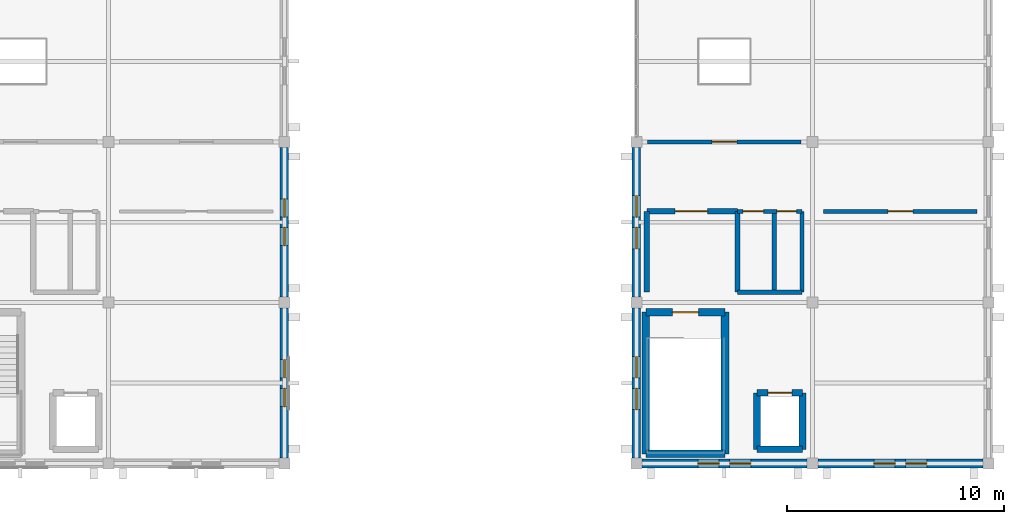
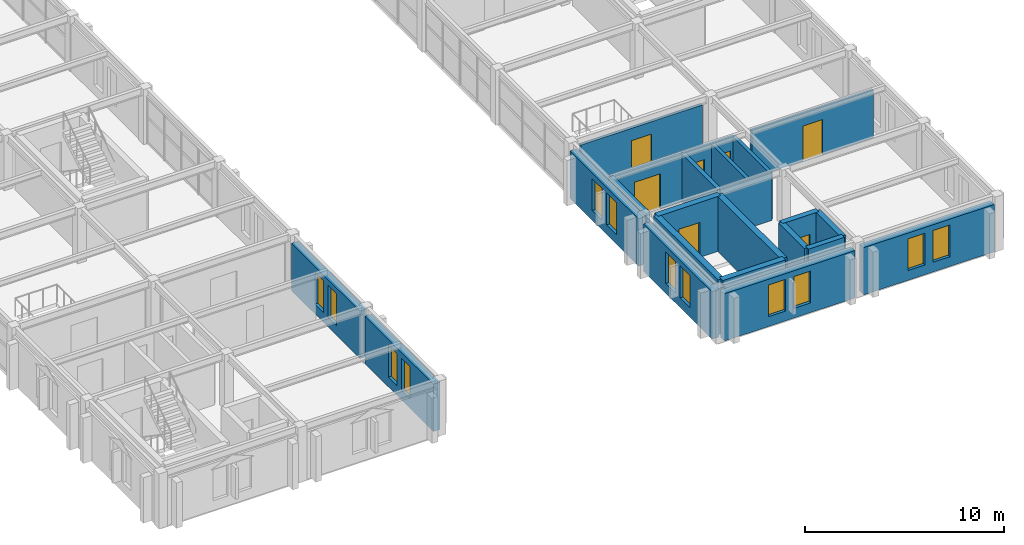
# One storey, part 84 of 93: 23 walls, 12 windows, 7 doors, 19 openings.
"""IFC4 building model written with IfcOpenShell, lengths in metres."""

import ifcopenshell
import ifcopenshell.guid

model = None  # the IFC model being written
_history = None  # IfcOwnerHistory: only IFC2X3 demands one
_inside = {}  # id of a spatial element -> (the spatial element, [elements in it])
_under = {}  # id of a project, library or spatial element -> (it, [spatial elements below it])
_declared = {}  # id of a project -> (the project, [libraries it declares])
_typed = {}  # id of a type object -> (the type object, [elements of that type])
_made_of = {}  # id of a material, layer set ... -> (it, [elements and type objects made of it])


def new_model(schema):
    """Start an empty IFC model of exactly this schema.

    Asked for "IFC4X3", IfcOpenShell would pick the latest addendum, in which some entities
    have other attributes; the version numbers below select the first issue.
    IFC2X3 requires an IfcOwnerHistory on every rooted entity: one is made here for all.
    """
    global model, _history
    if schema == "IFC4X3":
        model = ifcopenshell.file(schema_version=(4, 3, 0, 0))
    else:
        model = ifcopenshell.file(schema=schema)
    _inside.clear()
    _under.clear()
    _declared.clear()
    _typed.clear()
    _made_of.clear()
    _history = None
    if model.schema == "IFC2X3":
        org = make("IfcOrganization", Name="unknown")
        user = make(
            "IfcPersonAndOrganization",
            ThePerson=make("IfcPerson", FamilyName="unknown"),
            TheOrganization=org,
        )
        app = make(
            "IfcApplication",
            ApplicationDeveloper=org,
            Version="unknown",
            ApplicationFullName="unknown",
            ApplicationIdentifier="unknown",
        )
        _history = make(
            "IfcOwnerHistory",
            OwningUser=user,
            OwningApplication=app,
            ChangeAction="ADDED",
            CreationDate=0,
        )
    return model


def make(cls, **values):
    """One entity of the class cls with the attributes given. An attribute that is None is left unset."""
    return model.create_entity(
        cls, **{name: value for name, value in values.items() if value is not None}
    )


def rooted(cls, **values):
    """An entity with a GlobalId (a new one), such as an element, a storey or a relation."""
    return make(cls, GlobalId=ifcopenshell.guid.new(), OwnerHistory=_history, **values)


def si_unit(unit_type, name, prefix=None):
    """IfcSIUnit, for example si_unit("LENGTHUNIT", "METRE", prefix="MILLI")."""
    return make("IfcSIUnit", UnitType=unit_type, Prefix=prefix, Name=name)


def assignment(units):
    """IfcUnitAssignment: the units of a project."""
    return None if units is None else make("IfcUnitAssignment", Units=units)


def point(xyz):
    """IfcCartesianPoint."""
    return None if xyz is None else make("IfcCartesianPoint", Coordinates=xyz)


def direction(xyz):
    """IfcDirection."""
    return None if xyz is None else make("IfcDirection", DirectionRatios=xyz)


def frame(location, z_axis=None, x_axis=None):
    """IfcAxis2Placement3D, a coordinate frame: its origin and axes. An axis left out is left unset."""
    return make(
        "IfcAxis2Placement3D",
        Location=point(location),
        Axis=direction(z_axis),
        RefDirection=direction(x_axis),
    )


def frame_2d(location, x_axis=None):
    """IfcAxis2Placement2D, a coordinate frame in the plane: its origin and x axis."""
    return make(
        "IfcAxis2Placement2D", Location=point(location), RefDirection=direction(x_axis)
    )


def origin():
    """The frame at (0, 0, 0) with its axes left unset."""
    return frame((0.0, 0.0, 0.0))


def place(relative_to, where):
    """IfcLocalPlacement: puts the frame where relative to a parent placement (None: the world)."""
    return make(
        "IfcLocalPlacement", PlacementRelTo=relative_to, RelativePlacement=where
    )


def context(
    kind, dimensions, precision=None, world=None, true_north=None, identifier=None
):
    """IfcGeometricRepresentationContext, for example the 3D "Model" context."""
    return make(
        "IfcGeometricRepresentationContext",
        ContextIdentifier=identifier,
        ContextType=kind,
        CoordinateSpaceDimension=dimensions,
        Precision=precision,
        WorldCoordinateSystem=world,
        TrueNorth=true_north,
    )


def subcontext(parent, identifier, kind, view, scale=None):
    """IfcGeometricRepresentationSubContext, for example "Body" below "Model"."""
    return make(
        "IfcGeometricRepresentationSubContext",
        ContextIdentifier=identifier,
        ContextType=kind,
        ParentContext=parent,
        TargetScale=scale,
        TargetView=view,
    )


def project(units=None, contexts=None):
    """IfcProject with its units and contexts."""
    return rooted(
        "IfcProject",
        Name="project",
        RepresentationContexts=contexts,
        UnitsInContext=assignment(units),
    )


def spatial(cls, under=None, at=None, **own):
    """A site, building, storey or space (cls), placed at a placement, below another one or the project."""
    s = rooted(cls, ObjectPlacement=at, **own)
    if under is not None:
        _under.setdefault(under.id(), (under, []))[1].append(s)
    return s


def profile(cls, at=None, kind="AREA", **sizes):
    """A parametric profile (cls). Its sizes go by their IFC names, for example OverallWidth=200.0."""
    return make(cls, ProfileType=kind, Position=at, **sizes)


def rectangle(**sizes):
    """IfcRectangleProfileDef."""
    return profile("IfcRectangleProfileDef", **sizes)


def extrude(swept, where, along, depth):
    """IfcExtrudedAreaSolid: the profile swept, set in the frame where, extruded along a direction by depth."""
    return make(
        "IfcExtrudedAreaSolid",
        SweptArea=swept,
        Position=where,
        ExtrudedDirection=direction(along),
        Depth=depth,
    )


def shape(context_of_items, identifier, shape_type, items):
    """IfcShapeRepresentation: the items that make up one representation, for example the "Body"."""
    return make(
        "IfcShapeRepresentation",
        ContextOfItems=context_of_items,
        RepresentationIdentifier=identifier,
        RepresentationType=shape_type,
        Items=items,
    )


def material(Name=None, Category=None):
    """IfcMaterial."""
    return make("IfcMaterial", Name=Name, Category=Category)


def layer(
    of_material, thickness, ventilated=None, Name=None, Category=None, Priority=None
):
    """IfcMaterialLayer: one layer of a wall or slab, of a material (None: an air gap)."""
    return make(
        "IfcMaterialLayer",
        Material=of_material,
        LayerThickness=thickness,
        IsVentilated=ventilated,
        Name=Name,
        Category=Category,
        Priority=Priority,
    )


def layer_set(layers, Name=None):
    """IfcMaterialLayerSet."""
    return make("IfcMaterialLayerSet", MaterialLayers=layers, LayerSetName=Name)


def made_of(thing, what):
    """Note that an element or type object is made of a material, layer set ...; save() writes the relation."""
    if what is not None:
        _made_of.setdefault(what.id(), (what, []))[1].append(thing)
    return thing


def type_object(cls, material=None, **own):
    """A type object (cls), such as IfcWallType, which elements share."""
    return made_of(rooted(cls, **own), material)


def element(
    cls,
    number,
    at=None,
    inside=None,
    cuts=None,
    type_object=None,
    material=None,
    context=None,
    identifier="Body",
    shape_type=None,
    held_by="IfcProductDefinitionShape",
    body=None,
    shapes=None,
    **own,
):
    """One element of the class cls, such as IfcWall. Its Tag is "e" and its number.

    at: its placement. inside: the storey or other place that contains it. cuts: it is an
    opening in that element (IfcRelVoidsElement). A single representation is given by context,
    identifier, shape_type and body (its items); several are given by shapes. held_by: the class
    of the entity that holds the representations. save() writes the other relations.
    """
    e = rooted(cls, Tag="e%d" % number, ObjectPlacement=at, **own)
    if body is not None:
        shapes = [shape(context, identifier, shape_type, body)]
    if shapes is not None:
        e.Representation = make(held_by, Representations=shapes)
    if inside is not None:
        _inside.setdefault(inside.id(), (inside, []))[1].append(e)
    if cuts is not None:
        rooted(
            "IfcRelVoidsElement", RelatingBuildingElement=cuts, RelatedOpeningElement=e
        )
    if type_object is not None:
        _typed.setdefault(type_object.id(), (type_object, []))[1].append(e)
    return made_of(e, material)


def fill(opening, filler):
    """IfcRelFillsElement: the door or window that sits in an opening."""
    return rooted(
        "IfcRelFillsElement",
        RelatingOpeningElement=opening,
        RelatedBuildingElement=filler,
    )


def aggregate(whole, parts):
    """IfcRelAggregates: a whole, such as a stair, and the parts it consists of."""
    return rooted("IfcRelAggregates", RelatingObject=whole, RelatedObjects=parts)


def save(model, path):
    """Write the relations noted so far, then the file.

    IfcRelAggregates (storeys below a building ...), IfcRelContainedInSpatialStructure (elements
    in a storey), IfcRelDefinesByType, IfcRelAssociatesMaterial and IfcRelDeclares: one each for
    every whole, place, type object, material and project.
    """
    for whole, parts in _under.values():
        aggregate(whole, parts)
    for where, things in _inside.values():
        rooted(
            "IfcRelContainedInSpatialStructure",
            RelatedElements=things,
            RelatingStructure=where,
        )
    for kind, things in _typed.values():
        rooted("IfcRelDefinesByType", RelatedObjects=things, RelatingType=kind)
    for what, things in _made_of.values():
        rooted("IfcRelAssociatesMaterial", RelatedObjects=things, RelatingMaterial=what)
    for by, libraries in _declared.values():
        rooted("IfcRelDeclares", RelatingContext=by, RelatedDefinitions=libraries)
    model.write(path)


model = new_model("IFC4")

# Units and contexts
model_context = context("Model", 3, precision=1e-05, world=origin(), true_north=direction((0.0, 1.0)))
body_context = subcontext(model_context, "Body", "Model", "MODEL_VIEW")
ifc_project = project(units=[si_unit("LENGTHUNIT", "METRE"), si_unit("AREAUNIT", "SQUARE_METRE"), si_unit("VOLUMEUNIT", "CUBIC_METRE"), si_unit("PLANEANGLEUNIT", "RADIAN"), si_unit("MASSUNIT", "GRAM", prefix="KILO")], contexts=[model_context])

# Site, building, storey
site_placement = place(None, origin())
site = spatial("IfcSite", under=ifc_project, at=site_placement, CompositionType="ELEMENT")
building_placement = place(site_placement, origin())
building = spatial("IfcBuilding", under=site, at=building_placement, Name="Cimatlan Art Gallery", CompositionType="ELEMENT")
storey_placement = place(building_placement, frame((0.0, 0.0, 13.800048828125)))
storey = spatial("IfcBuildingStorey", under=building, at=storey_placement, Name="L03", CompositionType="ELEMENT", Elevation=13.800048828125)

# Walls
ifc_material_1 = material(Name="Concrete C40/50", Category="concrete")
ifc_layer_1 = layer(ifc_material_1, 0.31005859375)
ifc_layer_set_1 = layer_set([ifc_layer_1], Name="Concrete C40/50")
wall_type_1 = type_object("IfcWallType", Name="W-CORE-310", PredefinedType="SHEAR", material=ifc_layer_set_1)
wall_1_placement = place(storey_placement, frame((153.35009765625, 24.550048828125, 0.0), z_axis=(0.0, 0.0, 1.0), x_axis=(0.0, 1.0, 0.0)))
element("IfcWall", 1, at=wall_1_placement, inside=storey, type_object=wall_type_1, Name="WL-SHFT-C5-L03-LW", PredefinedType="SHEAR", context=body_context, shape_type="SweptSolid", body=[
    extrude(rectangle(XDim=2.599853515625, YDim=0.31005859375, at=frame_2d((1.2998046875, 0.0))), origin(), (0.0, 0.0, 1.0), 3.375),
])
wall_2_placement = place(storey_placement, frame((153.35009765625, 24.550048828125, 0.0), z_axis=(0.0, 0.0, 1.0), x_axis=(1.0, 0.0, 0.0)))
element("IfcWall", 2, at=wall_2_placement, inside=storey, type_object=wall_type_1, Name="WL-SHFT-C5-L03-LS", PredefinedType="SHEAR", context=body_context, shape_type="SweptSolid", body=[
    extrude(rectangle(XDim=2.099853515625, YDim=0.31005859375, at=frame_2d((1.0498046875, 0.0))), origin(), (0.0, 0.0, 1.0), 3.375),
])
wall_3_placement = place(storey_placement, frame((155.449951171875, 24.550048828125, 0.0), z_axis=(0.0, 0.0, 1.0), x_axis=(0.0, 1.0, 0.0)))
element("IfcWall", 3, at=wall_3_placement, inside=storey, type_object=wall_type_1, Name="WL-SHFT-C5-L03-LE", PredefinedType="SHEAR", context=body_context, shape_type="SweptSolid", body=[
    extrude(rectangle(XDim=2.599853515625, YDim=0.31005859375, at=frame_2d((1.2998046875, 0.0))), origin(), (0.0, 0.0, 1.0), 3.375),
])

# Wall, opening, door
wall_4_placement = place(storey_placement, frame((153.35009765625, 27.14990234375, 0.0), z_axis=(0.0, 0.0, 1.0), x_axis=(1.0, 0.0, 0.0)))
wall_4 = element("IfcWall", 4, at=wall_4_placement, inside=storey, type_object=wall_type_1, Name="WL-SHFT-C5-L03-LN", PredefinedType="SHEAR", context=body_context, shape_type="SweptSolid", body=[
    extrude(rectangle(XDim=2.099853515625, YDim=0.31005859375, at=frame_2d((1.0498046875, 0.0))), origin(), (0.0, 0.0, 1.0), 3.375),
])
opening_1_placement = place(wall_4_placement, frame((0.5, 0.0, 0.0)))
opening_1 = element("IfcOpeningElement", 5, at=opening_1_placement, cuts=wall_4, Name="Opening LD-C5-L03", PredefinedType="OPENING", context=body_context, shape_type="SweptSolid", body=[
    extrude(rectangle(XDim=1.10009765625, YDim=2.14990234375, at=frame_2d((0.550048828125, 1.074951171875))), frame((0.0, 0.1650390625, 0.0), z_axis=(0.0, -1.0, 0.0), x_axis=(1.0, 0.0, 0.0)), (0.0, 0.0, 1.0), 0.330078125),
])
ifc_material_2 = material(Name="Brushed bronze sliding lift landing door")
door_type_1 = type_object("IfcDoorType", Name="LD-PS-1100", OperationType="NOTDEFINED", PredefinedType="DOOR", material=ifc_material_2)
door_1_placement = place(opening_1_placement, origin())
door_1 = element("IfcDoor", 6, at=door_1_placement, inside=storey, type_object=door_type_1, Name="LD-PL-02-L03", OperationType="SLIDING_TO_RIGHT", OverallHeight=2.14990234375, OverallWidth=1.10009765625, PredefinedType="DOOR", context=body_context, shape_type="SweptSolid", body=[
    extrude(rectangle(XDim=1.10009765625, YDim=2.14990234375, at=frame_2d((0.550048828125, 1.074951171875))), frame((0.0, 0.02490234375, 0.0), z_axis=(0.0, -1.0, 0.0), x_axis=(1.0, 0.0, 0.0)), (0.0, 0.0, 1.0), 0.050048828125),
])
fill(opening_1, door_1)

# Walls
ifc_layer_2 = layer(ifc_material_1, 0.35009765625)
ifc_layer_set_2 = layer_set([ifc_layer_2], Name="Concrete C40/50")
wall_type_2 = type_object("IfcWallType", Name="W-CORE-350", PredefinedType="SHEAR", material=ifc_layer_set_2)
wall_5_placement = place(storey_placement, frame((148.239990234375, 24.340087890625, 0.0), z_axis=(0.0, 0.0, 1.0), x_axis=(0.0, 1.0, 0.0)))
element("IfcWall", 7, at=wall_5_placement, inside=storey, type_object=wall_type_2, Name="WL-CORE-C5-L03-SW", PredefinedType="SHEAR", context=body_context, shape_type="SweptSolid", body=[
    extrude(rectangle(XDim=6.52001953125, YDim=0.35009765625, at=frame_2d((3.260009765625, 0.0))), origin(), (0.0, 0.0, 1.0), 3.375),
])
wall_6_placement = place(storey_placement, frame((148.239990234375, 24.340087890625, 0.0), z_axis=(0.0, 0.0, 1.0), x_axis=(1.0, 0.0, 0.0)))
element("IfcWall", 8, at=wall_6_placement, inside=storey, type_object=wall_type_2, Name="WL-CORE-C5-L03-SS", PredefinedType="SHEAR", context=body_context, shape_type="SweptSolid", body=[
    extrude(rectangle(XDim=3.639892578125, YDim=0.35009765625, at=frame_2d((1.81982421875, 0.0))), origin(), (0.0, 0.0, 1.0), 3.375),
])
wall_7_placement = place(storey_placement, frame((151.8798828125, 24.340087890625, 0.0), z_axis=(0.0, 0.0, 1.0), x_axis=(0.0, 1.0, 0.0)))
element("IfcWall", 9, at=wall_7_placement, inside=storey, type_object=wall_type_2, Name="WL-CORE-C5-L03-SE", PredefinedType="SHEAR", context=body_context, shape_type="SweptSolid", body=[
    extrude(rectangle(XDim=6.52001953125, YDim=0.35009765625, at=frame_2d((3.260009765625, 0.0))), origin(), (0.0, 0.0, 1.0), 3.375),
])

# Wall, opening, door
wall_8_placement = place(storey_placement, frame((148.239990234375, 30.860107421875, 0.0), z_axis=(0.0, 0.0, 1.0), x_axis=(1.0, 0.0, 0.0)))
wall_8 = element("IfcWall", 10, at=wall_8_placement, inside=storey, type_object=wall_type_2, Name="WL-CORE-C5-L03-SN", PredefinedType="SHEAR", context=body_context, shape_type="SweptSolid", body=[
    extrude(rectangle(XDim=3.639892578125, YDim=0.35009765625, at=frame_2d((1.81982421875, 0.0))), origin(), (0.0, 0.0, 1.0), 3.375),
])
opening_2_placement = place(wall_8_placement, frame((1.219970703125, 0.0, 0.0)))
opening_2 = element("IfcOpeningElement", 11, at=opening_2_placement, cuts=wall_8, Name="Opening FD-C5-L03", PredefinedType="OPENING", context=body_context, shape_type="SweptSolid", body=[
    extrude(rectangle(XDim=1.199951171875, YDim=2.14990234375, at=frame_2d((0.60009765625, 1.074951171875))), frame((0.0, 0.18505859375, 0.0), z_axis=(0.0, -1.0, 0.0), x_axis=(1.0, 0.0, 0.0)), (0.0, 0.0, 1.0), 0.3701171875),
])
ifc_material_3 = material(Name="Fire-resisting steel acoustic stair door", Category="steel")
door_type_2 = type_object("IfcDoorType", Name="FD-ST-1200", OperationType="NOTDEFINED", PredefinedType="DOOR", material=ifc_material_3)
door_2_placement = place(opening_2_placement, origin())
door_2 = element("IfcDoor", 12, at=door_2_placement, inside=storey, type_object=door_type_2, Name="DR-C5-L03-ST", OperationType="SINGLE_SWING_LEFT", OverallHeight=2.14990234375, OverallWidth=1.199951171875, PredefinedType="DOOR", context=body_context, shape_type="SweptSolid", body=[
    extrude(rectangle(XDim=1.199951171875, YDim=2.14990234375, at=frame_2d((0.60009765625, 1.074951171875))), frame((0.0, 0.02490234375, 0.0), z_axis=(0.0, -1.0, 0.0), x_axis=(1.0, 0.0, 0.0)), (0.0, 0.0, 1.0), 0.050048828125),
])
fill(opening_2, door_2)

ifc_material_4 = material(Name="Precast concrete C40/50", Category="concrete")
ifc_layer_3 = layer(ifc_material_4, 0.2451171875)
ifc_layer_set_3 = layer_set([ifc_layer_3], Name="Precast concrete C40/50")
wall_type_3 = type_object("IfcWallType", Name="W-FFL-245", PredefinedType="PARTITIONING", material=ifc_layer_set_3)
wall_9_placement = place(storey_placement, frame((148.280029296875, 35.5, 0.0), z_axis=(0.0, 0.0, 1.0), x_axis=(1.0, 0.0, 0.0)))
wall_9 = element("IfcWall", 13, at=wall_9_placement, inside=storey, type_object=wall_type_3, Name="WL-LOB-C5-L03-N", PredefinedType="PARTITIONING", context=body_context, shape_type="SweptSolid", body=[
    extrude(rectangle(XDim=4.169921875, YDim=0.2451171875, at=frame_2d((2.0849609375, 0.0))), origin(), (0.0, 0.0, 1.0), 2.912841796875),
])
opening_3_placement = place(wall_9_placement, frame((1.300048828125, 0.0, 0.0)))
opening_3 = element("IfcOpeningElement", 14, at=opening_3_placement, cuts=wall_9, Name="Opening FDL-C5-L03", PredefinedType="OPENING", context=body_context, shape_type="SweptSolid", body=[
    extrude(rectangle(XDim=1.5, YDim=2.14990234375, at=frame_2d((0.75, 1.074951171875))), frame((0.0, 0.132568359375, 0.0), z_axis=(0.0, -1.0, 0.0), x_axis=(1.0, 0.0, 0.0)), (0.0, 0.0, 1.0), 0.26513671875),
])
ifc_material_5 = material(Name="Fire-resisting double-seal lobby door")
door_type_3 = type_object("IfcDoorType", Name="FD-LB-1500", OperationType="NOTDEFINED", PredefinedType="DOOR", material=ifc_material_5)
door_3_placement = place(opening_3_placement, origin())
door_3 = element("IfcDoor", 15, at=door_3_placement, inside=storey, type_object=door_type_3, Name="DR-LOB-C5-L03", OperationType="SINGLE_SWING_RIGHT", OverallHeight=2.14990234375, OverallWidth=1.5, PredefinedType="DOOR", context=body_context, shape_type="SweptSolid", body=[
    extrude(rectangle(XDim=1.5, YDim=2.14990234375, at=frame_2d((0.75, 1.074951171875))), frame((0.0, 0.02490234375, 0.0), z_axis=(0.0, -1.0, 0.0), x_axis=(1.0, 0.0, 0.0)), (0.0, 0.0, 1.0), 0.050048828125),
])
fill(opening_3, door_3)

# Walls
for number, where, z_axis, x_axis, name in (
    (16, (148.280029296875, 31.780029296875, 0.0), (0.0, 0.0, 1.0), (0.0, 1.0, 0.0), "WL-LOB-C5-L03-W"),
    (17, (152.449951171875, 31.780029296875, 0.0), (0.0, 0.0, 1.0), (0.0, 1.0, 0.0), "WL-LOB-C5-L03-M"),
):
    element("IfcWall", number, at=place(storey_placement, frame(where, z_axis=z_axis, x_axis=x_axis)), inside=storey, type_object=wall_type_3, Name=name, PredefinedType="PARTITIONING", context=body_context, shape_type="SweptSolid", body=[
        extrude(rectangle(XDim=3.719970703125, YDim=0.2451171875, at=frame_2d((1.85986328125, 0.0))), origin(), (0.0, 0.0, 1.0), 2.912841796875),
    ])
ifc_material_6 = material(Name="Moisture-resistant fire-rated plumbing wall")
ifc_layer_4 = layer(ifc_material_6, 0.195068359375)
ifc_layer_set_4 = layer_set([ifc_layer_4], Name="Moisture-resistant fire-rated plumbing wall")
wall_type_4 = type_object("IfcWallType", Name="W-PLM-195", PredefinedType="PARTITIONING", material=ifc_layer_set_4)
for number, where, z_axis, x_axis, name in (
    (18, (154.14990234375, 31.780029296875, 0.0), (0.0, 0.0, 1.0), (0.0, 1.0, 0.0), "WL-LOB-C5-L03-D"),
    (19, (155.419921875, 31.780029296875, 0.0), (0.0, 0.0, 1.0), (0.0, 1.0, 0.0), "WL-LOB-C5-L03-E"),
):
    element("IfcWall", number, at=place(storey_placement, frame(where, z_axis=z_axis, x_axis=x_axis)), inside=storey, type_object=wall_type_4, Name=name, PredefinedType="PARTITIONING", context=body_context, shape_type="SweptSolid", body=[
        extrude(rectangle(XDim=3.719970703125, YDim=0.195068359375, at=frame_2d((1.85986328125, 0.0))), origin(), (0.0, 0.0, 1.0), 2.912841796875),
    ])
wall_10_placement = place(storey_placement, frame((152.449951171875, 31.780029296875, 0.0), z_axis=(0.0, 0.0, 1.0), x_axis=(1.0, 0.0, 0.0)))
element("IfcWall", 20, at=wall_10_placement, inside=storey, type_object=wall_type_4, Name="WL-LOB-C5-L03-S", PredefinedType="PARTITIONING", context=body_context, shape_type="SweptSolid", body=[
    extrude(rectangle(XDim=2.969970703125, YDim=0.195068359375, at=frame_2d((1.48486328125, 0.0))), origin(), (0.0, 0.0, 1.0), 2.912841796875),
])

# Wall, openings, doors
wall_11_placement = place(storey_placement, frame((152.449951171875, 35.5, 0.0), z_axis=(0.0, 0.0, 1.0), x_axis=(1.0, 0.0, 0.0)))
wall_11 = element("IfcWall", 21, at=wall_11_placement, inside=storey, type_object=wall_type_4, Name="WL-WC-C5-L03-N", PredefinedType="PARTITIONING", context=body_context, shape_type="SweptSolid", body=[
    extrude(rectangle(XDim=2.969970703125, YDim=0.195068359375, at=frame_2d((1.48486328125, 0.0))), origin(), (0.0, 0.0, 1.0), 2.912841796875),
])
opening_4_placement = place(wall_11_placement, frame((0.25, 0.0, 0.0)))
opening_4 = element("IfcOpeningElement", 22, at=opening_4_placement, cuts=wall_11, Name="Opening DWC-C5A-L03", PredefinedType="OPENING", context=body_context, shape_type="SweptSolid", body=[
    extrude(rectangle(XDim=0.949951171875, YDim=2.10009765625, at=frame_2d((0.47509765625, 1.050048828125))), frame((0.0, 0.107421875, 0.0), z_axis=(0.0, -1.0, 0.0), x_axis=(1.0, 0.0, 0.0)), (0.0, 0.0, 1.0), 0.215087890625),
])
opening_5_placement = place(wall_11_placement, frame((1.820068359375, 0.0, 0.0)))
opening_5 = element("IfcOpeningElement", 23, at=opening_5_placement, cuts=wall_11, Name="Opening DWC-C5B-L03", PredefinedType="OPENING", context=body_context, shape_type="SweptSolid", body=[
    extrude(rectangle(XDim=0.89990234375, YDim=2.10009765625, at=frame_2d((0.449951171875, 1.050048828125))), frame((0.0, 0.107421875, 0.0), z_axis=(0.0, -1.0, 0.0), x_axis=(1.0, 0.0, 0.0)), (0.0, 0.0, 1.0), 0.215087890625),
])
ifc_material_7 = material(Name="Sanitary room door")
door_type_4 = type_object("IfcDoorType", Name="DI-WC-0900", OperationType="NOTDEFINED", PredefinedType="DOOR", material=ifc_material_7)
door_4_placement = place(opening_5_placement, origin())
door_4 = element("IfcDoor", 24, at=door_4_placement, inside=storey, type_object=door_type_4, Name="DR-PWC-C5-L03", OperationType="SINGLE_SWING_RIGHT", OverallHeight=2.10009765625, OverallWidth=0.89990234375, PredefinedType="DOOR", context=body_context, shape_type="SweptSolid", body=[
    extrude(rectangle(XDim=0.89990234375, YDim=2.10009765625, at=frame_2d((0.449951171875, 1.050048828125))), frame((0.0, 0.02490234375, 0.0), z_axis=(0.0, -1.0, 0.0), x_axis=(1.0, 0.0, 0.0)), (0.0, 0.0, 1.0), 0.050048828125),
])
fill(opening_5, door_4)
ifc_material_8 = material(Name="Accessible sanitary room door")
door_type_5 = type_object("IfcDoorType", Name="DI-WC-0950", OperationType="NOTDEFINED", PredefinedType="DOOR", material=ifc_material_8)
door_5_placement = place(opening_4_placement, origin())
door_5 = element("IfcDoor", 25, at=door_5_placement, inside=storey, type_object=door_type_5, Name="DR-AWC-C5-L03", OperationType="SINGLE_SWING_LEFT", OverallHeight=2.10009765625, OverallWidth=0.949951171875, PredefinedType="DOOR", context=body_context, shape_type="SweptSolid", body=[
    extrude(rectangle(XDim=0.949951171875, YDim=2.10009765625, at=frame_2d((0.47509765625, 1.050048828125))), frame((0.0, 0.02490234375, 0.0), z_axis=(0.0, -1.0, 0.0), x_axis=(1.0, 0.0, 0.0)), (0.0, 0.0, 1.0), 0.050048828125),
])
fill(opening_4, door_5)

# Wall, opening, door
ifc_material_9 = material(Name="Acoustic gypsum and steel stud partition", Category="steel")
ifc_layer_5 = layer(ifc_material_9, 0.179931640625)
ifc_layer_set_5 = layer_set([ifc_layer_5], Name="Acoustic gypsum and steel stud partition")
wall_type_5 = type_object("IfcWallType", Name="W-STD-180", PredefinedType="PARTITIONING", material=ifc_layer_set_5)
wall_12_placement = place(storey_placement, frame((156.419921875, 35.5, 0.0), z_axis=(0.0, 0.0, 1.0), x_axis=(1.0, 0.0, 0.0)))
wall_12 = element("IfcWall", 26, at=wall_12_placement, inside=storey, type_object=wall_type_5, Name="WL-RM-L03-STD-01", PredefinedType="PARTITIONING", context=body_context, shape_type="SweptSolid", body=[
    extrude(rectangle(XDim=7.06005859375, YDim=0.179931640625, at=frame_2d((3.530029296875, 0.0))), origin(), (0.0, 0.0, 1.0), 2.912841796875),
])
opening_6_placement = place(wall_12_placement, frame((2.955078125, 0.0, 0.0)))
opening_6 = element("IfcOpeningElement", 27, at=opening_6_placement, cuts=wall_12, Name="Opening DI-0258", PredefinedType="OPENING", context=body_context, shape_type="SweptSolid", body=[
    extrude(rectangle(XDim=1.14990234375, YDim=2.14990234375, at=frame_2d((0.574951171875, 1.074951171875))), frame((0.0, 0.10009765625, 0.0), z_axis=(0.0, -1.0, 0.0), x_axis=(1.0, 0.0, 0.0)), (0.0, 0.0, 1.0), 0.199951171875),
])
ifc_material_10 = material(Name="Solid oak artists' studio door")
door_type_6 = type_object("IfcDoorType", Name="DI-SD-1150", OperationType="NOTDEFINED", PredefinedType="DOOR", material=ifc_material_10)
door_6_placement = place(opening_6_placement, origin())
door_6 = element("IfcDoor", 28, at=door_6_placement, inside=storey, type_object=door_type_6, Name="DR-RM-L03-STD-01", OperationType="SINGLE_SWING_RIGHT", OverallHeight=2.14990234375, OverallWidth=1.14990234375, PredefinedType="DOOR", context=body_context, shape_type="SweptSolid", body=[
    extrude(rectangle(XDim=1.14990234375, YDim=2.14990234375, at=frame_2d((0.574951171875, 1.074951171875))), frame((0.0, 0.02490234375, 0.0), z_axis=(0.0, -1.0, 0.0), x_axis=(1.0, 0.0, 0.0)), (0.0, 0.0, 1.0), 0.050048828125),
])
fill(opening_6, door_6)

wall_13_placement = place(storey_placement, frame((148.320068359375, 38.699951171875, 0.0), z_axis=(0.0, 0.0, 1.0), x_axis=(1.0, 0.0, 0.0)))
wall_13 = element("IfcWall", 29, at=wall_13_placement, inside=storey, type_object=wall_type_5, Name="WL-RM-L03-STD-02", PredefinedType="PARTITIONING", context=body_context, shape_type="SweptSolid", body=[
    extrude(rectangle(XDim=7.059814453125, YDim=0.179931640625, at=frame_2d((3.52978515625, 0.0))), origin(), (0.0, 0.0, 1.0), 2.912841796875),
])
opening_7_placement = place(wall_13_placement, frame((2.955078125, 0.0, 0.0)))
opening_7 = element("IfcOpeningElement", 30, at=opening_7_placement, cuts=wall_13, Name="Opening DI-0259", PredefinedType="OPENING", context=body_context, shape_type="SweptSolid", body=[
    extrude(rectangle(XDim=1.14990234375, YDim=2.14990234375, at=frame_2d((0.574951171875, 1.074951171875))), frame((0.0, 0.10009765625, 0.0), z_axis=(0.0, -1.0, 0.0), x_axis=(1.0, 0.0, 0.0)), (0.0, 0.0, 1.0), 0.199951171875),
])
door_7_placement = place(opening_7_placement, origin())
door_7 = element("IfcDoor", 31, at=door_7_placement, inside=storey, type_object=door_type_6, Name="DR-RM-L03-STD-02", OperationType="SINGLE_SWING_LEFT", OverallHeight=2.14990234375, OverallWidth=1.14990234375, PredefinedType="DOOR", context=body_context, shape_type="SweptSolid", body=[
    extrude(rectangle(XDim=1.14990234375, YDim=2.14990234375, at=frame_2d((0.574951171875, 1.074951171875))), frame((0.0, 0.02490234375, 0.0), z_axis=(0.0, -1.0, 0.0), x_axis=(1.0, 0.0, 0.0)), (0.0, 0.0, 1.0), 0.050048828125),
])
fill(opening_7, door_7)

# Wall, openings, windows
ifc_layer_6 = layer(ifc_material_4, 0.39990234375)
ifc_layer_set_6 = layer_set([ifc_layer_6], Name="Precast concrete C40/50")
wall_type_6 = type_object("IfcWallType", Name="WL-EXT-CAN-400", PredefinedType="SOLIDWALL", material=ifc_layer_set_6)
wall_14_placement = place(storey_placement, frame((131.60009765625, 31.0458984375, 0.0), z_axis=(0.0, 0.0, 1.0), x_axis=(0.0, -1.0, 0.0)))
wall_14 = element("IfcWall", 32, at=wall_14_placement, inside=storey, type_object=wall_type_6, Name="WL-EXT-L03-15-03-E", PredefinedType="SOLIDWALL", context=body_context, shape_type="SweptSolid", body=[
    extrude(rectangle(XDim=6.891845703125, YDim=0.39990234375, at=frame_2d((3.44580078125, 0.0))), origin(), (0.0, 0.0, 1.0), 2.907958984375),
])
opening_8_placement = place(wall_14_placement, frame((2.365966796875, 0.0, 0.60009765625)))
opening_8 = element("IfcOpeningElement", 33, at=opening_8_placement, cuts=wall_14, Name="Opening WN-0273", PredefinedType="OPENING", context=body_context, shape_type="SweptSolid", body=[
    extrude(rectangle(XDim=0.840087890625, YDim=1.9599609375, at=frame_2d((0.419921875, 0.97998046875))), frame((0.0, 0.2099609375, 0.0), z_axis=(0.0, -1.0, 0.0), x_axis=(1.0, 0.0, 0.0)), (0.0, 0.0, 1.0), 0.419921875),
])
opening_9_placement = place(wall_14_placement, frame((3.68603515625, 0.0, 0.60009765625)))
opening_9 = element("IfcOpeningElement", 34, at=opening_9_placement, cuts=wall_14, Name="Opening WN-0274", PredefinedType="OPENING", context=body_context, shape_type="SweptSolid", body=[
    extrude(rectangle(XDim=0.840087890625, YDim=1.9599609375, at=frame_2d((0.419921875, 0.97998046875))), frame((0.0, 0.2099609375, 0.0), z_axis=(0.0, -1.0, 0.0), x_axis=(1.0, 0.0, 0.0)), (0.0, 0.0, 1.0), 0.419921875),
])
ifc_material_11 = material(Name="Low-E laminated double glazing in bronze lancet frame", Category="glass")
window_type_1 = type_object("IfcWindowType", Name="WIN-E-L03-0840X1960", PartitioningType="SINGLE_PANEL", PredefinedType="WINDOW", material=ifc_material_11)
window_1_placement = place(opening_8_placement, origin())
window_1 = element("IfcWindow", 35, at=window_1_placement, inside=storey, type_object=window_type_1, Name="WIN-0273", OverallHeight=1.9599609375, OverallWidth=0.840087890625, PartitioningType="SINGLE_PANEL", PredefinedType="WINDOW", context=body_context, shape_type="SweptSolid", body=[
    extrude(rectangle(XDim=0.840087890625, YDim=1.9599609375, at=frame_2d((0.419921875, 0.97998046875))), frame((0.0, 0.030029296875, 0.0), z_axis=(0.0, -1.0, 0.0), x_axis=(1.0, 0.0, 0.0)), (0.0, 0.0, 1.0), 0.06005859375),
])
fill(opening_8, window_1)
window_2_placement = place(opening_9_placement, origin())
window_2 = element("IfcWindow", 36, at=window_2_placement, inside=storey, type_object=window_type_1, Name="WIN-0274", OverallHeight=1.9599609375, OverallWidth=0.840087890625, PartitioningType="SINGLE_PANEL", PredefinedType="WINDOW", context=body_context, shape_type="SweptSolid", body=[
    extrude(rectangle(XDim=0.840087890625, YDim=1.9599609375, at=frame_2d((0.419921875, 0.97998046875))), frame((0.0, 0.030029296875, 0.0), z_axis=(0.0, -1.0, 0.0), x_axis=(1.0, 0.0, 0.0)), (0.0, 0.0, 1.0), 0.06005859375),
])
fill(opening_9, window_2)

wall_15_placement = place(storey_placement, frame((131.60009765625, 38.446044921875, 0.0), z_axis=(0.0, 0.0, 1.0), x_axis=(0.0, -1.0, 0.0)))
wall_15 = element("IfcWall", 37, at=wall_15_placement, inside=storey, type_object=wall_type_6, Name="WL-EXT-L03-15-04-E", PredefinedType="SOLIDWALL", context=body_context, shape_type="SweptSolid", body=[
    extrude(rectangle(XDim=6.89208984375, YDim=0.39990234375, at=frame_2d((3.446044921875, 0.0))), origin(), (0.0, 0.0, 1.0), 2.907958984375),
])
opening_10_placement = place(wall_15_placement, frame((2.365966796875, 0.0, 0.60009765625)))
opening_10 = element("IfcOpeningElement", 38, at=opening_10_placement, cuts=wall_15, Name="Opening WN-0275", PredefinedType="OPENING", context=body_context, shape_type="SweptSolid", body=[
    extrude(rectangle(XDim=0.840087890625, YDim=1.9599609375, at=frame_2d((0.419921875, 0.97998046875))), frame((0.0, 0.2099609375, 0.0), z_axis=(0.0, -1.0, 0.0), x_axis=(1.0, 0.0, 0.0)), (0.0, 0.0, 1.0), 0.419921875),
])
opening_11_placement = place(wall_15_placement, frame((3.68603515625, 0.0, 0.60009765625)))
opening_11 = element("IfcOpeningElement", 39, at=opening_11_placement, cuts=wall_15, Name="Opening WN-0276", PredefinedType="OPENING", context=body_context, shape_type="SweptSolid", body=[
    extrude(rectangle(XDim=0.840087890625, YDim=1.9599609375, at=frame_2d((0.419921875, 0.97998046875))), frame((0.0, 0.2099609375, 0.0), z_axis=(0.0, -1.0, 0.0), x_axis=(1.0, 0.0, 0.0)), (0.0, 0.0, 1.0), 0.419921875),
])
window_3_placement = place(opening_10_placement, origin())
window_3 = element("IfcWindow", 40, at=window_3_placement, inside=storey, type_object=window_type_1, Name="WIN-0275", OverallHeight=1.9599609375, OverallWidth=0.840087890625, PartitioningType="SINGLE_PANEL", PredefinedType="WINDOW", context=body_context, shape_type="SweptSolid", body=[
    extrude(rectangle(XDim=0.840087890625, YDim=1.9599609375, at=frame_2d((0.419921875, 0.97998046875))), frame((0.0, 0.030029296875, 0.0), z_axis=(0.0, -1.0, 0.0), x_axis=(1.0, 0.0, 0.0)), (0.0, 0.0, 1.0), 0.06005859375),
])
fill(opening_10, window_3)
window_4_placement = place(opening_11_placement, origin())
window_4 = element("IfcWindow", 41, at=window_4_placement, inside=storey, type_object=window_type_1, Name="WIN-0276", OverallHeight=1.9599609375, OverallWidth=0.840087890625, PartitioningType="SINGLE_PANEL", PredefinedType="WINDOW", context=body_context, shape_type="SweptSolid", body=[
    extrude(rectangle(XDim=0.840087890625, YDim=1.9599609375, at=frame_2d((0.419921875, 0.97998046875))), frame((0.0, 0.030029296875, 0.0), z_axis=(0.0, -1.0, 0.0), x_axis=(1.0, 0.0, 0.0)), (0.0, 0.0, 1.0), 0.06005859375),
])
fill(opening_11, window_4)

wall_16_placement = place(storey_placement, frame((155.64599609375, 23.89990234375, 0.0), z_axis=(0.0, 0.0, 1.0), x_axis=(-1.0, 0.0, 0.0)))
wall_16 = element("IfcWall", 42, at=wall_16_placement, inside=storey, type_object=wall_type_6, Name="WL-EXT-L03-18-03-S", PredefinedType="SOLIDWALL", context=body_context, shape_type="SweptSolid", body=[
    extrude(rectangle(XDim=7.592041015625, YDim=0.39990234375, at=frame_2d((3.7958984375, 0.0))), origin(), (0.0, 0.0, 1.0), 2.907958984375),
])
opening_12_placement = place(wall_16_placement, frame((2.575927734375, 0.0, 0.60009765625)))
opening_12 = element("IfcOpeningElement", 43, at=opening_12_placement, cuts=wall_16, Name="Opening WN-0281", PredefinedType="OPENING", context=body_context, shape_type="SweptSolid", body=[
    extrude(rectangle(XDim=0.97998046875, YDim=1.949951171875, at=frame_2d((0.489990234375, 0.97509765625))), frame((0.0, 0.2099609375, 0.0), z_axis=(0.0, -1.0, 0.0), x_axis=(1.0, 0.0, 0.0)), (0.0, 0.0, 1.0), 0.419921875),
])
opening_13_placement = place(wall_16_placement, frame((4.035888671875, 0.0, 0.60009765625)))
opening_13 = element("IfcOpeningElement", 44, at=opening_13_placement, cuts=wall_16, Name="Opening WN-0282", PredefinedType="OPENING", context=body_context, shape_type="SweptSolid", body=[
    extrude(rectangle(XDim=0.97998046875, YDim=1.949951171875, at=frame_2d((0.489990234375, 0.97509765625))), frame((0.0, 0.2099609375, 0.0), z_axis=(0.0, -1.0, 0.0), x_axis=(1.0, 0.0, 0.0)), (0.0, 0.0, 1.0), 0.419921875),
])
window_type_2 = type_object("IfcWindowType", Name="WIN-STD-L03-0980X1950", PartitioningType="SINGLE_PANEL", PredefinedType="WINDOW", material=ifc_material_11)
window_5_placement = place(opening_12_placement, origin())
window_5 = element("IfcWindow", 45, at=window_5_placement, inside=storey, type_object=window_type_2, Name="WIN-0281", OverallHeight=1.949951171875, OverallWidth=0.97998046875, PartitioningType="SINGLE_PANEL", PredefinedType="WINDOW", context=body_context, shape_type="SweptSolid", body=[
    extrude(rectangle(XDim=0.97998046875, YDim=1.949951171875, at=frame_2d((0.489990234375, 0.97509765625))), frame((0.0, 0.030029296875, 0.0), z_axis=(0.0, -1.0, 0.0), x_axis=(1.0, 0.0, 0.0)), (0.0, 0.0, 1.0), 0.06005859375),
])
fill(opening_12, window_5)
window_6_placement = place(opening_13_placement, origin())
window_6 = element("IfcWindow", 46, at=window_6_placement, inside=storey, type_object=window_type_2, Name="WIN-0282", OverallHeight=1.949951171875, OverallWidth=0.97998046875, PartitioningType="SINGLE_PANEL", PredefinedType="WINDOW", context=body_context, shape_type="SweptSolid", body=[
    extrude(rectangle(XDim=0.97998046875, YDim=1.949951171875, at=frame_2d((0.489990234375, 0.97509765625))), frame((0.0, 0.030029296875, 0.0), z_axis=(0.0, -1.0, 0.0), x_axis=(1.0, 0.0, 0.0)), (0.0, 0.0, 1.0), 0.06005859375),
])
fill(opening_13, window_6)

wall_17_placement = place(storey_placement, frame((147.800048828125, 24.154052734375, 0.0), z_axis=(0.0, 0.0, 1.0), x_axis=(0.0, 1.0, 0.0)))
wall_17 = element("IfcWall", 47, at=wall_17_placement, inside=storey, type_object=wall_type_6, Name="WL-EXT-L03-18-03-W", PredefinedType="SOLIDWALL", context=body_context, shape_type="SweptSolid", body=[
    extrude(rectangle(XDim=6.891845703125, YDim=0.39990234375, at=frame_2d((3.44580078125, 0.0))), origin(), (0.0, 0.0, 1.0), 2.907958984375),
])
opening_14_placement = place(wall_17_placement, frame((2.22607421875, 0.0, 0.60009765625)))
opening_14 = element("IfcOpeningElement", 48, at=opening_14_placement, cuts=wall_17, Name="Opening WN-0283", PredefinedType="OPENING", context=body_context, shape_type="SweptSolid", body=[
    extrude(rectangle(XDim=0.97998046875, YDim=1.949951171875, at=frame_2d((0.489990234375, 0.97509765625))), frame((0.0, 0.2099609375, 0.0), z_axis=(0.0, -1.0, 0.0), x_axis=(1.0, 0.0, 0.0)), (0.0, 0.0, 1.0), 0.419921875),
])
opening_15_placement = place(wall_17_placement, frame((3.68603515625, 0.0, 0.60009765625)))
opening_15 = element("IfcOpeningElement", 49, at=opening_15_placement, cuts=wall_17, Name="Opening WN-0284", PredefinedType="OPENING", context=body_context, shape_type="SweptSolid", body=[
    extrude(rectangle(XDim=0.97998046875, YDim=1.949951171875, at=frame_2d((0.489990234375, 0.97509765625))), frame((0.0, 0.2099609375, 0.0), z_axis=(0.0, -1.0, 0.0), x_axis=(1.0, 0.0, 0.0)), (0.0, 0.0, 1.0), 0.419921875),
])
window_7_placement = place(opening_14_placement, origin())
window_7 = element("IfcWindow", 50, at=window_7_placement, inside=storey, type_object=window_type_2, Name="WIN-0283", OverallHeight=1.949951171875, OverallWidth=0.97998046875, PartitioningType="SINGLE_PANEL", PredefinedType="WINDOW", context=body_context, shape_type="SweptSolid", body=[
    extrude(rectangle(XDim=0.97998046875, YDim=1.949951171875, at=frame_2d((0.489990234375, 0.97509765625))), frame((0.0, 0.030029296875, 0.0), z_axis=(0.0, -1.0, 0.0), x_axis=(1.0, 0.0, 0.0)), (0.0, 0.0, 1.0), 0.06005859375),
])
fill(opening_14, window_7)
window_8_placement = place(opening_15_placement, origin())
window_8 = element("IfcWindow", 51, at=window_8_placement, inside=storey, type_object=window_type_2, Name="WIN-0284", OverallHeight=1.949951171875, OverallWidth=0.97998046875, PartitioningType="SINGLE_PANEL", PredefinedType="WINDOW", context=body_context, shape_type="SweptSolid", body=[
    extrude(rectangle(XDim=0.97998046875, YDim=1.949951171875, at=frame_2d((0.489990234375, 0.97509765625))), frame((0.0, 0.030029296875, 0.0), z_axis=(0.0, -1.0, 0.0), x_axis=(1.0, 0.0, 0.0)), (0.0, 0.0, 1.0), 0.06005859375),
])
fill(opening_15, window_8)

wall_18_placement = place(storey_placement, frame((147.800048828125, 31.553955078125, 0.0), z_axis=(0.0, 0.0, 1.0), x_axis=(0.0, 1.0, 0.0)))
wall_18 = element("IfcWall", 52, at=wall_18_placement, inside=storey, type_object=wall_type_6, Name="WL-EXT-L03-18-04-W", PredefinedType="SOLIDWALL", context=body_context, shape_type="SweptSolid", body=[
    extrude(rectangle(XDim=6.89208984375, YDim=0.39990234375, at=frame_2d((3.446044921875, 0.0))), origin(), (0.0, 0.0, 1.0), 2.907958984375),
])
opening_16_placement = place(wall_18_placement, frame((2.22607421875, 0.0, 0.60009765625)))
opening_16 = element("IfcOpeningElement", 53, at=opening_16_placement, cuts=wall_18, Name="Opening WN-0285", PredefinedType="OPENING", context=body_context, shape_type="SweptSolid", body=[
    extrude(rectangle(XDim=0.97998046875, YDim=1.949951171875, at=frame_2d((0.489990234375, 0.97509765625))), frame((0.0, 0.2099609375, 0.0), z_axis=(0.0, -1.0, 0.0), x_axis=(1.0, 0.0, 0.0)), (0.0, 0.0, 1.0), 0.419921875),
])
opening_17_placement = place(wall_18_placement, frame((3.68603515625, 0.0, 0.60009765625)))
opening_17 = element("IfcOpeningElement", 54, at=opening_17_placement, cuts=wall_18, Name="Opening WN-0286", PredefinedType="OPENING", context=body_context, shape_type="SweptSolid", body=[
    extrude(rectangle(XDim=0.97998046875, YDim=1.949951171875, at=frame_2d((0.489990234375, 0.97509765625))), frame((0.0, 0.2099609375, 0.0), z_axis=(0.0, -1.0, 0.0), x_axis=(1.0, 0.0, 0.0)), (0.0, 0.0, 1.0), 0.419921875),
])
window_9_placement = place(opening_16_placement, origin())
window_9 = element("IfcWindow", 55, at=window_9_placement, inside=storey, type_object=window_type_2, Name="WIN-0285", OverallHeight=1.949951171875, OverallWidth=0.97998046875, PartitioningType="SINGLE_PANEL", PredefinedType="WINDOW", context=body_context, shape_type="SweptSolid", body=[
    extrude(rectangle(XDim=0.97998046875, YDim=1.949951171875, at=frame_2d((0.489990234375, 0.97509765625))), frame((0.0, 0.030029296875, 0.0), z_axis=(0.0, -1.0, 0.0), x_axis=(1.0, 0.0, 0.0)), (0.0, 0.0, 1.0), 0.06005859375),
])
fill(opening_16, window_9)
window_10_placement = place(opening_17_placement, origin())
window_10 = element("IfcWindow", 56, at=window_10_placement, inside=storey, type_object=window_type_2, Name="WIN-0286", OverallHeight=1.949951171875, OverallWidth=0.97998046875, PartitioningType="SINGLE_PANEL", PredefinedType="WINDOW", context=body_context, shape_type="SweptSolid", body=[
    extrude(rectangle(XDim=0.97998046875, YDim=1.949951171875, at=frame_2d((0.489990234375, 0.97509765625))), frame((0.0, 0.030029296875, 0.0), z_axis=(0.0, -1.0, 0.0), x_axis=(1.0, 0.0, 0.0)), (0.0, 0.0, 1.0), 0.06005859375),
])
fill(opening_17, window_10)

wall_19_placement = place(storey_placement, frame((163.74609375, 23.89990234375, 0.0), z_axis=(0.0, 0.0, 1.0), x_axis=(-1.0, 0.0, 0.0)))
wall_19 = element("IfcWall", 57, at=wall_19_placement, inside=storey, type_object=wall_type_6, Name="WL-EXT-L03-19-03-S", PredefinedType="SOLIDWALL", context=body_context, shape_type="SweptSolid", body=[
    extrude(rectangle(XDim=7.592041015625, YDim=0.39990234375, at=frame_2d((3.7958984375, 0.0))), origin(), (0.0, 0.0, 1.0), 2.907958984375),
])
opening_18_placement = place(wall_19_placement, frame((2.575927734375, 0.0, 0.60009765625)))
opening_18 = element("IfcOpeningElement", 58, at=opening_18_placement, cuts=wall_19, Name="Opening WN-0289", PredefinedType="OPENING", context=body_context, shape_type="SweptSolid", body=[
    extrude(rectangle(XDim=0.97998046875, YDim=1.949951171875, at=frame_2d((0.489990234375, 0.97509765625))), frame((0.0, 0.2099609375, 0.0), z_axis=(0.0, -1.0, 0.0), x_axis=(1.0, 0.0, 0.0)), (0.0, 0.0, 1.0), 0.419921875),
])
opening_19_placement = place(wall_19_placement, frame((4.035888671875, 0.0, 0.60009765625)))
opening_19 = element("IfcOpeningElement", 59, at=opening_19_placement, cuts=wall_19, Name="Opening WN-0290", PredefinedType="OPENING", context=body_context, shape_type="SweptSolid", body=[
    extrude(rectangle(XDim=0.97998046875, YDim=1.949951171875, at=frame_2d((0.489990234375, 0.97509765625))), frame((0.0, 0.2099609375, 0.0), z_axis=(0.0, -1.0, 0.0), x_axis=(1.0, 0.0, 0.0)), (0.0, 0.0, 1.0), 0.419921875),
])
window_11_placement = place(opening_18_placement, origin())
window_11 = element("IfcWindow", 60, at=window_11_placement, inside=storey, type_object=window_type_2, Name="WIN-0289", OverallHeight=1.949951171875, OverallWidth=0.97998046875, PartitioningType="SINGLE_PANEL", PredefinedType="WINDOW", context=body_context, shape_type="SweptSolid", body=[
    extrude(rectangle(XDim=0.97998046875, YDim=1.949951171875, at=frame_2d((0.489990234375, 0.97509765625))), frame((0.0, 0.030029296875, 0.0), z_axis=(0.0, -1.0, 0.0), x_axis=(1.0, 0.0, 0.0)), (0.0, 0.0, 1.0), 0.06005859375),
])
fill(opening_18, window_11)
window_12_placement = place(opening_19_placement, origin())
window_12 = element("IfcWindow", 61, at=window_12_placement, inside=storey, type_object=window_type_2, Name="WIN-0290", OverallHeight=1.949951171875, OverallWidth=0.97998046875, PartitioningType="SINGLE_PANEL", PredefinedType="WINDOW", context=body_context, shape_type="SweptSolid", body=[
    extrude(rectangle(XDim=0.97998046875, YDim=1.949951171875, at=frame_2d((0.489990234375, 0.97509765625))), frame((0.0, 0.030029296875, 0.0), z_axis=(0.0, -1.0, 0.0), x_axis=(1.0, 0.0, 0.0)), (0.0, 0.0, 1.0), 0.06005859375),
])
fill(opening_19, window_12)

save(model, "model.ifc")
